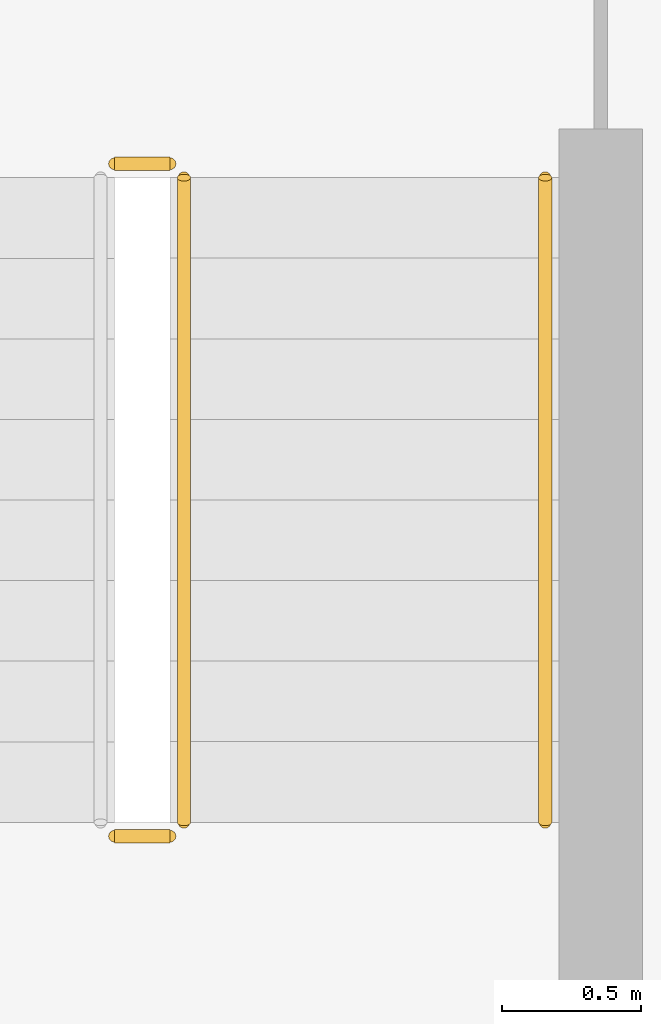
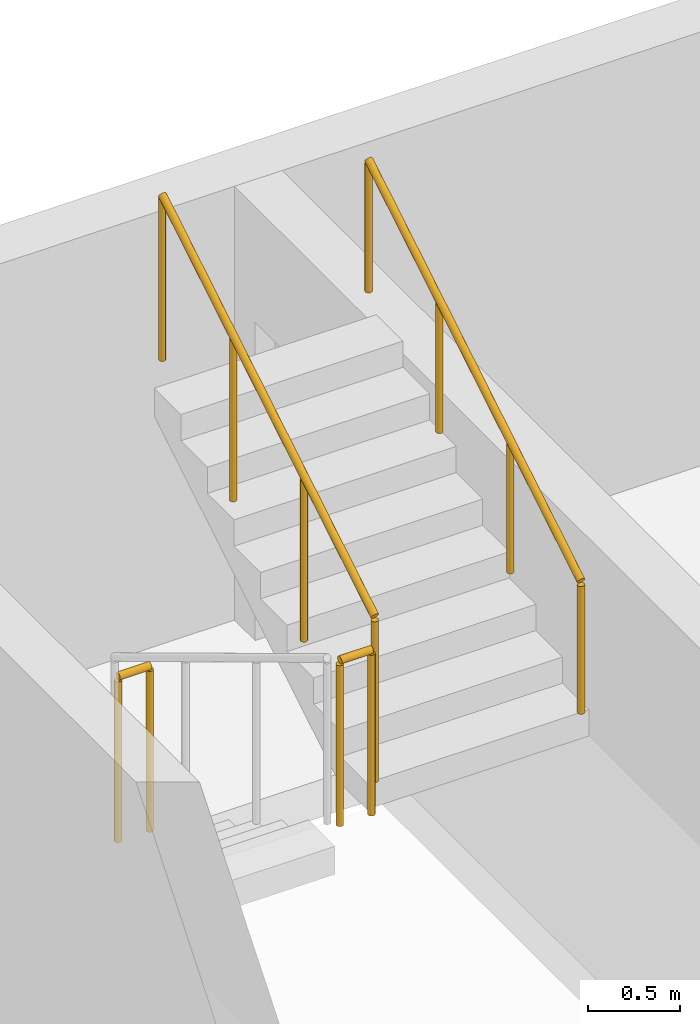
# One storey, part 27 of 34: 4 railings.
"""IFC4 building model written with IfcOpenShell, lengths in metres."""

from ifc_helpers import new_model, si_unit, derived_unit, direction, frame, origin, origin_2d, place, context, subcontext, project, spatial, circle, extrude, material, type_object, element, save


model = new_model("IFC4")

# Units and contexts
model_context = context("Model", 3, precision=1e-05, world=origin(), true_north=direction((0.0, 1.0)))
body_context = subcontext(model_context, "Body", "Model", "MODEL_VIEW")
ifc_project = project(units=[si_unit("LENGTHUNIT", "METRE"), si_unit("AREAUNIT", "SQUARE_METRE"), si_unit("VOLUMEUNIT", "CUBIC_METRE"), si_unit("PLANEANGLEUNIT", "RADIAN"), si_unit("MASSUNIT", "GRAM", prefix="KILO"), derived_unit("THERMALTRANSMITTANCEUNIT", [(si_unit("MASSUNIT", "GRAM", prefix="KILO"), 1), (si_unit("TIMEUNIT", "SECOND"), -3), (si_unit("THERMODYNAMICTEMPERATUREUNIT", "KELVIN"), -1)])], contexts=[model_context])

# Site, building, storey
site_placement = place(None, origin())
site = spatial("IfcSite", under=ifc_project, at=site_placement, CompositionType="ELEMENT")
building_placement = place(site_placement, origin())
building = spatial("IfcBuilding", under=site, at=building_placement, Name="Ochrekiln Boulevard Commons", CompositionType="ELEMENT")
storey_placement = place(building_placement, frame((0.0, 0.0, 27.824951171875)))
storey = spatial("IfcBuildingStorey", under=building, at=storey_placement, Name="L08", CompositionType="ELEMENT", Elevation=27.824951171875)

# Railings
ifc_material = material(Name="Brushed stainless steel 316 tubular railing", Category="steel")
railing_type_1 = type_object("IfcRailingType", Name="RLG-HDR-900", PredefinedType="HANDRAIL", material=ifc_material)
railing_1_placement = place(storey_placement, frame((9.35009765625, 114.610107421875, 1.75)))
element("IfcRailing", 1, at=railing_1_placement, inside=storey, type_object=railing_type_1, Name="L08 ST-A2 stair handrail 2", PredefinedType="HANDRAIL", context=body_context, shape_type="SweptSolid", body=[
    extrude(circle(Radius=0.02392578125, at=origin_2d()), frame((0.0, 0.0, 0.8759765625), z_axis=(0.0, 0.856146426353, 0.516733293531), x_axis=(-1.0, 0.0, 0.0)), (0.0, 0.0, 1.0), 2.709716796875),
    extrude(circle(Radius=0.02099609375, at=origin_2d()), origin(), (0.0, 0.0, 1.0), 0.851806640625),
    extrude(circle(Radius=0.02099609375, at=origin_2d()), frame((0.0, 0.773193359375, 0.466796875)), (0.0, 0.0, 1.0), 0.851806640625),
    extrude(circle(Radius=0.02099609375, at=origin_2d()), frame((0.0, 1.546630859375, 0.933349609375)), (0.0, 0.0, 1.0), 0.851806640625),
    extrude(circle(Radius=0.02099609375, at=origin_2d()), frame((0.0, 2.31982421875, 1.400146484375)), (0.0, 0.0, 1.0), 0.851806640625),
])
railing_type_2 = type_object("IfcRailingType", Name="RLG-STR-1120", PredefinedType="BALUSTRADE", material=ifc_material)
railing_2_placement = place(storey_placement, frame((7.800048828125, 114.56005859375, 1.574951171875)))
element("IfcRailing", 2, at=railing_2_placement, inside=storey, type_object=railing_type_2, Name="L08 ST-A2 stair guard 2", PredefinedType="BALUSTRADE", context=body_context, shape_type="SweptSolid", body=[
    extrude(circle(Radius=0.02392578125, at=origin_2d()), frame((0.0, 0.0, 1.09619140625), z_axis=(1.0, 0.0, 0.0), x_axis=(0.0, 1.0, 0.0)), (0.0, 0.0, 1.0), 0.199951171875),
    extrude(circle(Radius=0.02099609375, at=origin_2d()), origin(), (0.0, 0.0, 1.0), 1.072021484375),
    extrude(circle(Radius=0.02099609375, at=origin_2d()), frame((0.199951171875, 0.0, 0.0)), (0.0, 0.0, 1.0), 1.072021484375),
])
railing_3_placement = place(storey_placement, frame((8.050048828125, 114.610107421875, 1.75)))
element("IfcRailing", 3, at=railing_3_placement, inside=storey, type_object=railing_type_2, Name="L08 ST-A2 stair guard 3", PredefinedType="BALUSTRADE", context=body_context, shape_type="SweptSolid", body=[
    extrude(circle(Radius=0.02392578125, at=origin_2d()), frame((0.0, 0.0, 1.09619140625), z_axis=(0.0, 0.856146426353, 0.516733293531), x_axis=(-1.0, 0.0, 0.0)), (0.0, 0.0, 1.0), 2.709716796875),
    extrude(circle(Radius=0.02099609375, at=origin_2d()), origin(), (0.0, 0.0, 1.0), 1.072021484375),
    extrude(circle(Radius=0.02099609375, at=origin_2d()), frame((0.0, 0.773193359375, 0.466796875)), (0.0, 0.0, 1.0), 1.072021484375),
    extrude(circle(Radius=0.02099609375, at=origin_2d()), frame((0.0, 1.546630859375, 0.933349609375)), (0.0, 0.0, 1.0), 1.072021484375),
    extrude(circle(Radius=0.02099609375, at=origin_2d()), frame((0.0, 2.31982421875, 1.400146484375)), (0.0, 0.0, 1.0), 1.072021484375),
])
railing_4_placement = place(storey_placement, frame((7.800048828125, 116.97998046875, 0.0)))
element("IfcRailing", 4, at=railing_4_placement, inside=storey, type_object=railing_type_2, Name="L08 ST-A2 stair guard 4", PredefinedType="BALUSTRADE", context=body_context, shape_type="SweptSolid", body=[
    extrude(circle(Radius=0.02392578125, at=origin_2d()), frame((0.0, 0.0, 1.09619140625), z_axis=(1.0, 0.0, 0.0), x_axis=(0.0, 1.0, 0.0)), (0.0, 0.0, 1.0), 0.199951171875),
    extrude(circle(Radius=0.02099609375, at=origin_2d()), origin(), (0.0, 0.0, 1.0), 1.072021484375),
    extrude(circle(Radius=0.02099609375, at=origin_2d()), frame((0.199951171875, 0.0, 0.0)), (0.0, 0.0, 1.0), 1.072021484375),
])

save(model, "model.ifc")
